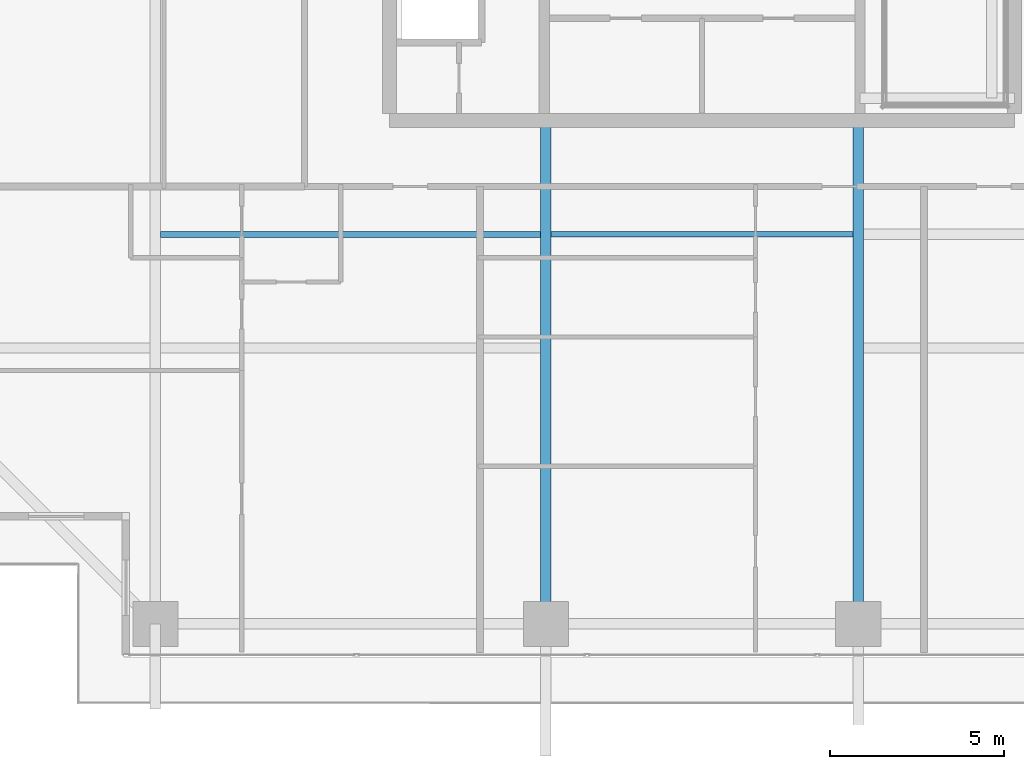
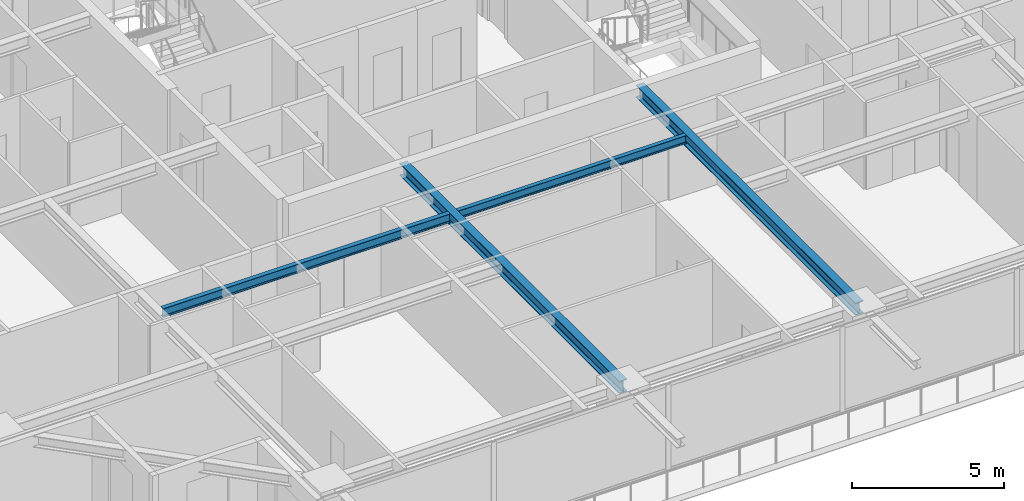
# One storey, part 7 of 37: 4 beams.
"""IFC4 building model written with IfcOpenShell, lengths in metres."""

from ifc_helpers import new_model, si_unit, direction, frame, origin, origin_2d, place, context, subcontext, project, spatial, i_section, extrude, source, transform, mapped, material, material_profile, profile_set, type_object, element, save


model = new_model("IFC4")

# Units and contexts
model_context = context("Model", 3, precision=1e-05, world=origin(), true_north=direction((0.0, 1.0)))
body_context = subcontext(model_context, "Body", "Model", "MODEL_VIEW")
ifc_project = project(units=[si_unit("LENGTHUNIT", "METRE"), si_unit("AREAUNIT", "SQUARE_METRE"), si_unit("VOLUMEUNIT", "CUBIC_METRE"), si_unit("PLANEANGLEUNIT", "RADIAN"), si_unit("MASSUNIT", "GRAM", prefix="KILO")], contexts=[model_context])

# Site, building, storey
site_placement = place(None, origin())
site = spatial("IfcSite", under=ifc_project, at=site_placement, CompositionType="ELEMENT")
building_placement = place(site_placement, origin())
building = spatial("IfcBuilding", under=site, at=building_placement, Name="Serunith Strait Residences", CompositionType="ELEMENT")
storey_placement = place(building_placement, frame((0.0, 0.0, 138.89990234375)))
storey = spatial("IfcBuildingStorey", under=building, at=storey_placement, Name="L34", CompositionType="ELEMENT", Elevation=138.89990234375)

# Beams
ifc_material = material(Name="Steel S355J2", Category="steel")
ifc_material_profile_1 = material_profile(ifc_material, i_section(OverallWidth=0.159912109375, OverallDepth=0.330078125, WebThickness=0.007568359375, FlangeThickness=0.011474609375, FilletRadius=0.01806640625, at=origin_2d()), Name="IPE 330")
ifc_profile_set_1 = profile_set([ifc_material_profile_1], Name="Steel S355J2")
beam_type_1 = type_object("IfcBeamType", Name="BM-IPE330", PredefinedType="JOIST", material=ifc_profile_set_1)
shared_shape_1 = source(origin(), body_context, "Body", "SweptSolid", [
    extrude(i_section(OverallWidth=0.159912109375, OverallDepth=0.330078125, WebThickness=0.007568359375, FlangeThickness=0.011474609375, FilletRadius=0.01806640625, at=origin_2d()), origin(), (0.0, 0.0, 1.0), 8.699951171875),
])
beam_1_placement = place(storey_placement, frame((28.050048828125, 13.52490234375, 3.322021484375), z_axis=(1.0, 0.0, 0.0), x_axis=(0.0, 1.0, 0.0)))
element("IfcBeam", 1, at=beam_1_placement, inside=storey, type_object=beam_type_1, Name="L34 Composite Floor Joist 02", PredefinedType="JOIST", context=body_context, shape_type="MappedRepresentation", body=[
    mapped(shared_shape_1, transform((0.0, 0.0, 0.0), scale=1.0)),
])
ifc_material_profile_2 = material_profile(ifc_material, i_section(OverallWidth=0.300048828125, OverallDepth=0.5, WebThickness=0.014404296875, FlangeThickness=0.028076171875, FilletRadius=0.027099609375, at=origin_2d()), Name="HEB 500")
ifc_profile_set_2 = profile_set([ifc_material_profile_2], Name="Steel S355J2")
beam_type_2 = type_object("IfcBeamType", Name="BM-HEB500", PredefinedType="BEAM", material=ifc_profile_set_2)
shared_shape_2 = source(origin(), body_context, "Body", "SweptSolid", [
    extrude(i_section(OverallWidth=0.300048828125, OverallDepth=0.5, WebThickness=0.014404296875, FlangeThickness=0.028076171875, FilletRadius=0.027099609375, at=origin_2d()), origin(), (0.0, 0.0, 1.0), 14.5),
])
for number, where, z_axis, x_axis, name in (
    (2, (27.89990234375, 16.800048828125, 3.237060546875), (0.0, -1.0, 0.0), (1.0, 0.0, 0.0), "L34 Primary Floor Girder TC-S2"),
    (3, (36.89990234375, 16.800048828125, 3.237060546875), (0.0, -1.0, 0.0), (1.0, 0.0, 0.0), "L34 Primary Floor Girder TC-S3"),
):
    element("IfcBeam", number, at=place(storey_placement, frame(where, z_axis=z_axis, x_axis=x_axis)), inside=storey, type_object=beam_type_2, Name=name, PredefinedType="BEAM", context=body_context, shape_type="MappedRepresentation", body=[
        mapped(shared_shape_2, transform((0.0, 0.0, 0.0), scale=1.0)),
    ])
ifc_material_profile_3 = material_profile(ifc_material, i_section(OverallWidth=0.169921875, OverallDepth=0.360107421875, WebThickness=0.008056640625, FlangeThickness=0.0126953125, FilletRadius=0.01806640625, at=origin_2d()), Name="IPE 360")
ifc_profile_set_3 = profile_set([ifc_material_profile_3], Name="Steel S355J2")
beam_type_3 = type_object("IfcBeamType", Name="BM-IPE360", PredefinedType="JOIST", material=ifc_profile_set_3)
shared_shape_3 = source(origin(), body_context, "Body", "SweptSolid", [
    extrude(i_section(OverallWidth=0.169921875, OverallDepth=0.360107421875, WebThickness=0.008056640625, FlangeThickness=0.0126953125, FilletRadius=0.01806640625, at=origin_2d()), origin(), (0.0, 0.0, 1.0), 10.949951171875),
])
beam_2_placement = place(storey_placement, frame((16.800048828125, 13.52490234375, 3.30712890625), z_axis=(1.0, 0.0, 0.0), x_axis=(0.0, 1.0, 0.0)))
element("IfcBeam", 4, at=beam_2_placement, inside=storey, type_object=beam_type_3, Name="L34 Composite Floor Joist 01", PredefinedType="JOIST", context=body_context, shape_type="MappedRepresentation", body=[
    mapped(shared_shape_3, transform((0.0, 0.0, 0.0), scale=1.0)),
])

save(model, "model.ifc")
